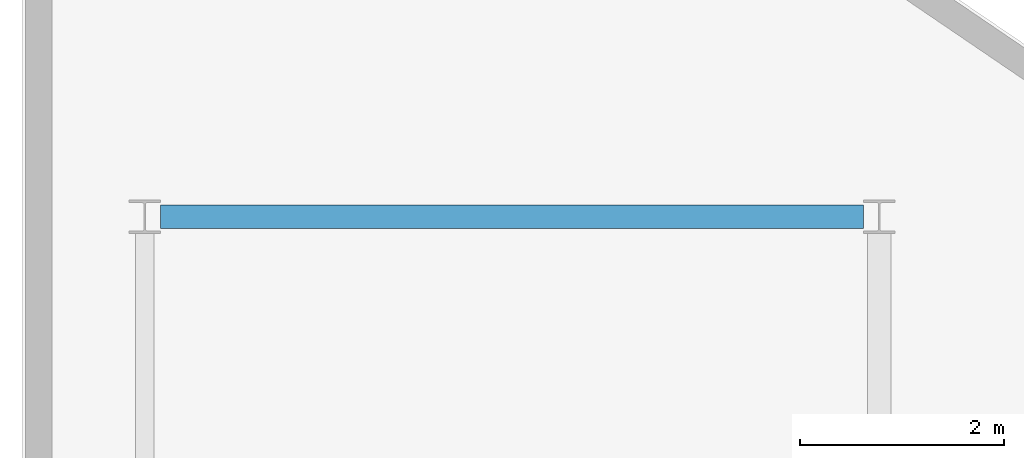
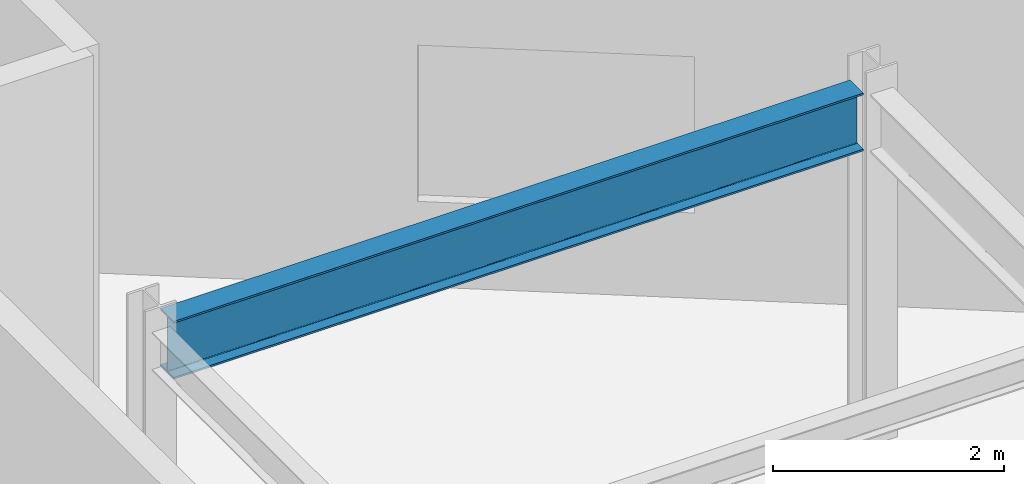
# One storey, part 9 of 19: 1 beam.
"""IFC4 building model written with IfcOpenShell, lengths in metres."""

import ifcopenshell
import ifcopenshell.guid

model = None  # the IFC model being written
_history = None  # IfcOwnerHistory: only IFC2X3 demands one
_inside = {}  # id of a spatial element -> (the spatial element, [elements in it])
_under = {}  # id of a project, library or spatial element -> (it, [spatial elements below it])
_declared = {}  # id of a project -> (the project, [libraries it declares])
_typed = {}  # id of a type object -> (the type object, [elements of that type])
_made_of = {}  # id of a material, layer set ... -> (it, [elements and type objects made of it])


def new_model(schema):
    """Start an empty IFC model of exactly this schema.

    Asked for "IFC4X3", IfcOpenShell would pick the latest addendum, in which some entities
    have other attributes; the version numbers below select the first issue.
    IFC2X3 requires an IfcOwnerHistory on every rooted entity: one is made here for all.
    """
    global model, _history
    if schema == "IFC4X3":
        model = ifcopenshell.file(schema_version=(4, 3, 0, 0))
    else:
        model = ifcopenshell.file(schema=schema)
    _inside.clear()
    _under.clear()
    _declared.clear()
    _typed.clear()
    _made_of.clear()
    _history = None
    if model.schema == "IFC2X3":
        org = make("IfcOrganization", Name="unknown")
        user = make(
            "IfcPersonAndOrganization",
            ThePerson=make("IfcPerson", FamilyName="unknown"),
            TheOrganization=org,
        )
        app = make(
            "IfcApplication",
            ApplicationDeveloper=org,
            Version="unknown",
            ApplicationFullName="unknown",
            ApplicationIdentifier="unknown",
        )
        _history = make(
            "IfcOwnerHistory",
            OwningUser=user,
            OwningApplication=app,
            ChangeAction="ADDED",
            CreationDate=0,
        )
    return model


def make(cls, **values):
    """One entity of the class cls with the attributes given. An attribute that is None is left unset."""
    return model.create_entity(
        cls, **{name: value for name, value in values.items() if value is not None}
    )


def rooted(cls, **values):
    """An entity with a GlobalId (a new one), such as an element, a storey or a relation."""
    return make(cls, GlobalId=ifcopenshell.guid.new(), OwnerHistory=_history, **values)


def si_unit(unit_type, name, prefix=None):
    """IfcSIUnit, for example si_unit("LENGTHUNIT", "METRE", prefix="MILLI")."""
    return make("IfcSIUnit", UnitType=unit_type, Prefix=prefix, Name=name)


def assignment(units):
    """IfcUnitAssignment: the units of a project."""
    return None if units is None else make("IfcUnitAssignment", Units=units)


def point(xyz):
    """IfcCartesianPoint."""
    return None if xyz is None else make("IfcCartesianPoint", Coordinates=xyz)


def direction(xyz):
    """IfcDirection."""
    return None if xyz is None else make("IfcDirection", DirectionRatios=xyz)


def frame(location, z_axis=None, x_axis=None):
    """IfcAxis2Placement3D, a coordinate frame: its origin and axes. An axis left out is left unset."""
    return make(
        "IfcAxis2Placement3D",
        Location=point(location),
        Axis=direction(z_axis),
        RefDirection=direction(x_axis),
    )


def frame_2d(location, x_axis=None):
    """IfcAxis2Placement2D, a coordinate frame in the plane: its origin and x axis."""
    return make(
        "IfcAxis2Placement2D", Location=point(location), RefDirection=direction(x_axis)
    )


def origin():
    """The frame at (0, 0, 0) with its axes left unset."""
    return frame((0.0, 0.0, 0.0))


def origin_2d():
    """The frame at (0, 0) in the plane with its x axis left unset."""
    return frame_2d((0.0, 0.0))


def place(relative_to, where):
    """IfcLocalPlacement: puts the frame where relative to a parent placement (None: the world)."""
    return make(
        "IfcLocalPlacement", PlacementRelTo=relative_to, RelativePlacement=where
    )


def context(
    kind, dimensions, precision=None, world=None, true_north=None, identifier=None
):
    """IfcGeometricRepresentationContext, for example the 3D "Model" context."""
    return make(
        "IfcGeometricRepresentationContext",
        ContextIdentifier=identifier,
        ContextType=kind,
        CoordinateSpaceDimension=dimensions,
        Precision=precision,
        WorldCoordinateSystem=world,
        TrueNorth=true_north,
    )


def subcontext(parent, identifier, kind, view, scale=None):
    """IfcGeometricRepresentationSubContext, for example "Body" below "Model"."""
    return make(
        "IfcGeometricRepresentationSubContext",
        ContextIdentifier=identifier,
        ContextType=kind,
        ParentContext=parent,
        TargetScale=scale,
        TargetView=view,
    )


def project(units=None, contexts=None):
    """IfcProject with its units and contexts."""
    return rooted(
        "IfcProject",
        Name="project",
        RepresentationContexts=contexts,
        UnitsInContext=assignment(units),
    )


def spatial(cls, under=None, at=None, **own):
    """A site, building, storey or space (cls), placed at a placement, below another one or the project."""
    s = rooted(cls, ObjectPlacement=at, **own)
    if under is not None:
        _under.setdefault(under.id(), (under, []))[1].append(s)
    return s


def profile(cls, at=None, kind="AREA", **sizes):
    """A parametric profile (cls). Its sizes go by their IFC names, for example OverallWidth=200.0."""
    return make(cls, ProfileType=kind, Position=at, **sizes)


def i_section(**sizes):
    """IfcIShapeProfileDef."""
    return profile("IfcIShapeProfileDef", **sizes)


def extrude(swept, where, along, depth):
    """IfcExtrudedAreaSolid: the profile swept, set in the frame where, extruded along a direction by depth."""
    return make(
        "IfcExtrudedAreaSolid",
        SweptArea=swept,
        Position=where,
        ExtrudedDirection=direction(along),
        Depth=depth,
    )


def shape(context_of_items, identifier, shape_type, items):
    """IfcShapeRepresentation: the items that make up one representation, for example the "Body"."""
    return make(
        "IfcShapeRepresentation",
        ContextOfItems=context_of_items,
        RepresentationIdentifier=identifier,
        RepresentationType=shape_type,
        Items=items,
    )


def material(Name=None, Category=None):
    """IfcMaterial."""
    return make("IfcMaterial", Name=Name, Category=Category)


def material_profile(
    of_material, cross_section, Name=None, Category=None, Priority=None
):
    """IfcMaterialProfile: a cross section and its material."""
    return make(
        "IfcMaterialProfile",
        Name=Name,
        Material=of_material,
        Profile=cross_section,
        Priority=Priority,
        Category=Category,
    )


def profile_set(profiles, Name=None, composite=None):
    """IfcMaterialProfileSet."""
    return make(
        "IfcMaterialProfileSet",
        Name=Name,
        MaterialProfiles=profiles,
        CompositeProfile=composite,
    )


def made_of(thing, what):
    """Note that an element or type object is made of a material, layer set ...; save() writes the relation."""
    if what is not None:
        _made_of.setdefault(what.id(), (what, []))[1].append(thing)
    return thing


def type_object(cls, material=None, **own):
    """A type object (cls), such as IfcWallType, which elements share."""
    return made_of(rooted(cls, **own), material)


def element(
    cls,
    number,
    at=None,
    inside=None,
    cuts=None,
    type_object=None,
    material=None,
    context=None,
    identifier="Body",
    shape_type=None,
    held_by="IfcProductDefinitionShape",
    body=None,
    shapes=None,
    **own,
):
    """One element of the class cls, such as IfcWall. Its Tag is "e" and its number.

    at: its placement. inside: the storey or other place that contains it. cuts: it is an
    opening in that element (IfcRelVoidsElement). A single representation is given by context,
    identifier, shape_type and body (its items); several are given by shapes. held_by: the class
    of the entity that holds the representations. save() writes the other relations.
    """
    e = rooted(cls, Tag="e%d" % number, ObjectPlacement=at, **own)
    if body is not None:
        shapes = [shape(context, identifier, shape_type, body)]
    if shapes is not None:
        e.Representation = make(held_by, Representations=shapes)
    if inside is not None:
        _inside.setdefault(inside.id(), (inside, []))[1].append(e)
    if cuts is not None:
        rooted(
            "IfcRelVoidsElement", RelatingBuildingElement=cuts, RelatedOpeningElement=e
        )
    if type_object is not None:
        _typed.setdefault(type_object.id(), (type_object, []))[1].append(e)
    return made_of(e, material)


def aggregate(whole, parts):
    """IfcRelAggregates: a whole, such as a stair, and the parts it consists of."""
    return rooted("IfcRelAggregates", RelatingObject=whole, RelatedObjects=parts)


def save(model, path):
    """Write the relations noted so far, then the file.

    IfcRelAggregates (storeys below a building ...), IfcRelContainedInSpatialStructure (elements
    in a storey), IfcRelDefinesByType, IfcRelAssociatesMaterial and IfcRelDeclares: one each for
    every whole, place, type object, material and project.
    """
    for whole, parts in _under.values():
        aggregate(whole, parts)
    for where, things in _inside.values():
        rooted(
            "IfcRelContainedInSpatialStructure",
            RelatedElements=things,
            RelatingStructure=where,
        )
    for kind, things in _typed.values():
        rooted("IfcRelDefinesByType", RelatedObjects=things, RelatingType=kind)
    for what, things in _made_of.values():
        rooted("IfcRelAssociatesMaterial", RelatedObjects=things, RelatingMaterial=what)
    for by, libraries in _declared.values():
        rooted("IfcRelDeclares", RelatingContext=by, RelatedDefinitions=libraries)
    model.write(path)


model = new_model("IFC4")

# Units and contexts
model_context = context("Model", 3, precision=1e-05, world=origin(), true_north=direction((0.0, 1.0)))
body_context = subcontext(model_context, "Body", "Model", "MODEL_VIEW")
ifc_project = project(units=[si_unit("LENGTHUNIT", "METRE"), si_unit("AREAUNIT", "SQUARE_METRE"), si_unit("VOLUMEUNIT", "CUBIC_METRE"), si_unit("PLANEANGLEUNIT", "RADIAN"), si_unit("MASSUNIT", "GRAM", prefix="KILO")], contexts=[model_context])

# Site, building, storey
site_placement = place(None, origin())
site = spatial("IfcSite", under=ifc_project, at=site_placement, CompositionType="ELEMENT")
building_placement = place(site_placement, origin())
building = spatial("IfcBuilding", under=site, at=building_placement, Name="Varnakote Quay Hospital", CompositionType="ELEMENT")
storey_placement = place(building_placement, frame((0.0, 0.0, 85.699951171875)))
storey = spatial("IfcBuildingStorey", under=building, at=storey_placement, Name="L21", CompositionType="ELEMENT", Elevation=85.699951171875)

# Beam
ifc_material = material(Name="Structural steel AS/NZS 3679.1 Grade 350 L0 (fy 340 MPa)", Category="steel")
ifc_material_profile = material_profile(ifc_material, i_section(OverallWidth=0.22900390625, OverallDepth=0.612060546875, WebThickness=0.011962890625, FlangeThickness=0.01953125, FilletRadius=0.013916015625, at=origin_2d()), Name="610UB125")
ifc_profile_set = profile_set([ifc_material_profile], Name="Structural steel AS/NZS 3679.1 Grade 350 L0 (fy 340 MPa)")
beam_type = type_object("IfcBeamType", Name="BM-STL-610UB125", PredefinedType="BEAM", material=ifc_profile_set)
beam_placement = place(storey_placement, frame((1.35546875, 37.199951171875, 3.404052734375), z_axis=(1.0, 0.0, 0.0), x_axis=(0.0, 1.0, 0.0)))
element("IfcBeam", 1, at=beam_placement, inside=storey, type_object=beam_type, Name="L21 Primary Floor Beam", PredefinedType="BEAM", context=body_context, shape_type="SweptSolid", body=[
    extrude(i_section(OverallWidth=0.22900390625, OverallDepth=0.612060546875, WebThickness=0.011962890625, FlangeThickness=0.01953125, FilletRadius=0.013916015625, at=origin_2d()), origin(), (0.0, 0.0, 1.0), 6.888916015625),
])

save(model, "model.ifc")
